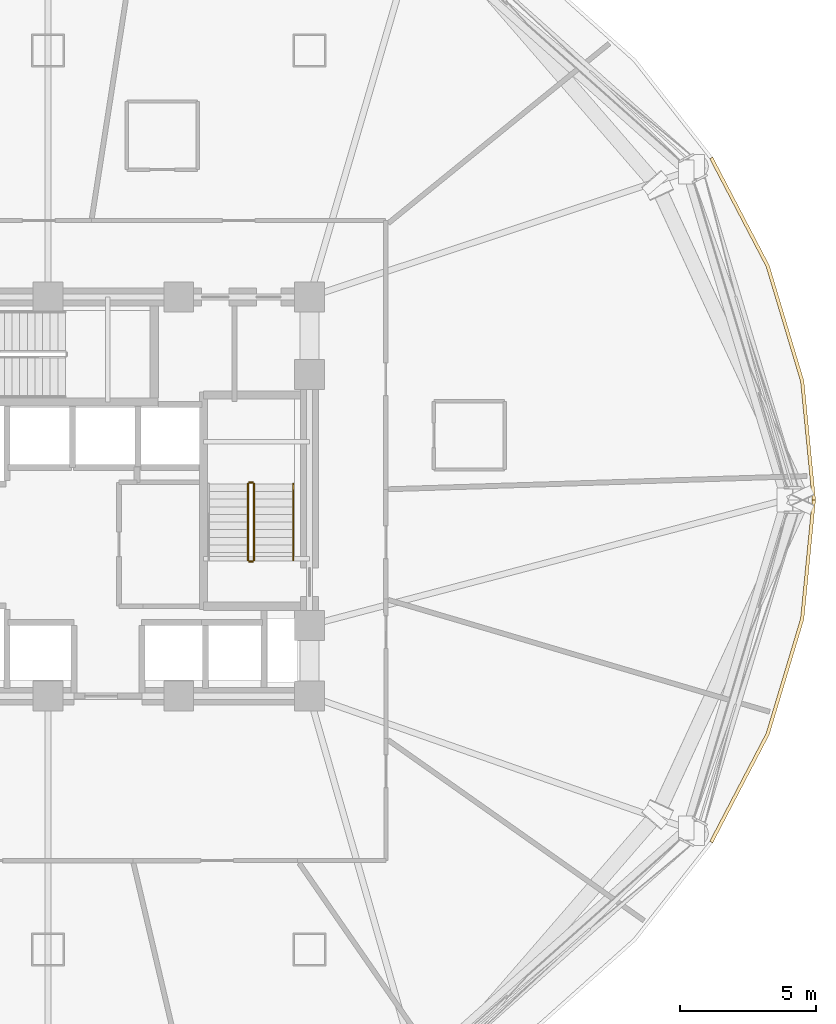
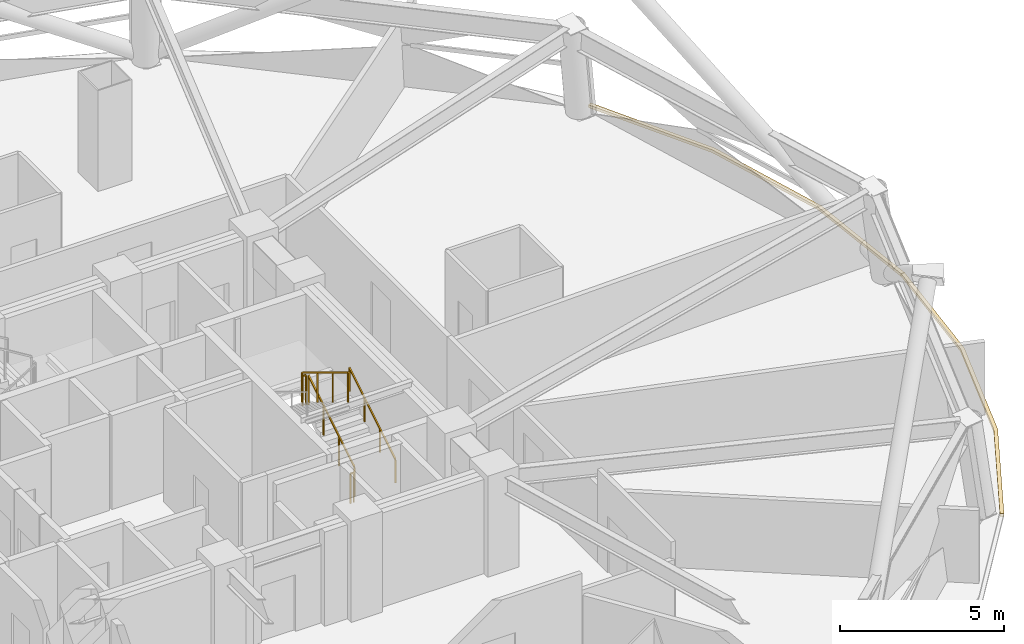
# One storey, part 12 of 13: 5 railings, 2 coverings.
"""IFC4 building model written with IfcOpenShell, lengths in metres."""

from ifc_helpers import new_model, si_unit, direction, frame, origin, origin_2d, place, context, subcontext, project, spatial, polyline, rectangle, outline, extrude, material, layer, layer_set, type_object, element, save


model = new_model("IFC4")

# Units and contexts
model_context = context("Model", 3, precision=1e-05, world=origin(), true_north=direction((0.0, 1.0)))
body_context = subcontext(model_context, "Body", "Model", "MODEL_VIEW")
ifc_project = project(units=[si_unit("LENGTHUNIT", "METRE"), si_unit("AREAUNIT", "SQUARE_METRE"), si_unit("VOLUMEUNIT", "CUBIC_METRE"), si_unit("PLANEANGLEUNIT", "RADIAN"), si_unit("MASSUNIT", "GRAM", prefix="KILO")], contexts=[model_context])

# Site, building, storey
site_placement = place(None, origin())
site = spatial("IfcSite", under=ifc_project, at=site_placement, CompositionType="ELEMENT")
building_placement = place(site_placement, origin())
building = spatial("IfcBuilding", under=site, at=building_placement, Name="Vantalir Tower", CompositionType="ELEMENT")
storey_placement = place(building_placement, frame((0.0, 0.0, 87.0)))
storey = spatial("IfcBuildingStorey", under=building, at=storey_placement, Name="L21", CompositionType="ELEMENT", Elevation=87.0)

# Coverings
ifc_material_1 = material(Name="Anodised champagne aluminium sill fascia", Category="aluminium")
ifc_layer = layer(ifc_material_1, 0.125)
ifc_layer_set = layer_set([ifc_layer], Name="Anodised champagne aluminium sill fascia")
covering_type = type_object("IfcCoveringType", Name="COV-SLAB-FASCIA-125", PredefinedType="CLADDING", material=ifc_layer_set)
covering_1_placement = place(storey_placement, frame((0.0, 0.0, -0.179931640625)))
element("IfcCovering", 1, at=covering_1_placement, inside=storey, type_object=covering_type, Name="L21 Perimeter Slab-Edge Sill Fascia 01", PredefinedType="CLADDING", context=body_context, shape_type="SweptSolid", body=[
    extrude(outline(polyline([(59.675048828125, 25.0), (59.2470703125, 29.37109375), (57.97607421875, 33.60888671875), (55.89990234375, 37.5849609375), (55.7919921875, 37.52197265625), (57.85791015625, 33.56591796875), (59.1240234375, 29.34912109375), (59.550048828125, 25.0), (59.675048828125, 25.0)])), origin(), (0.0, 0.0, 1.0), 0.10498046875),
])
covering_2_placement = place(storey_placement, frame((0.0, 0.0, -0.179931640625)))
element("IfcCovering", 2, at=covering_2_placement, inside=storey, type_object=covering_type, Name="L21 Perimeter Slab-Edge Sill Fascia 12", PredefinedType="CLADDING", context=body_context, shape_type="SweptSolid", body=[
    extrude(outline(polyline([(55.89990234375, 12.4150390625), (57.97607421875, 16.39111328125), (59.2470703125, 20.62890625), (59.675048828125, 25.0), (59.550048828125, 25.0), (59.1240234375, 20.65087890625), (57.85791015625, 16.43408203125), (55.7919921875, 12.47705078125), (55.89990234375, 12.4150390625)])), origin(), (0.0, 0.0, 1.0), 0.10498046875),
])

# Railings
ifc_material_2 = material(Name="Anodised aluminium and stainless steel guard", Category="steel")
railing_type_1 = type_object("IfcRailingType", Name="RAL-GUARD-1120", PredefinedType="GUARDRAIL", material=ifc_material_2)
railing_1_placement = place(storey_placement, frame((39.06005859375, 22.7900390625, 0.17041015625)))
element("IfcRailing", 3, at=railing_1_placement, inside=storey, type_object=railing_type_1, Name="L21 ST2 stair guard 1", PredefinedType="GUARDRAIL", context=body_context, shape_type="SweptSolid", body=[
    extrude(rectangle(XDim=0.048095703125, YDim=0.048095703125, at=origin_2d()), frame((0.0, 0.0, 1.09619140625), z_axis=(0.0, 0.854169791009, 0.51999420009), x_axis=(-1.0, 0.0, 0.0)), (0.0, 0.0, 1.0), 3.278076171875),
    extrude(rectangle(XDim=0.0419921875, YDim=0.0419921875, at=origin_2d()), origin(), (0.0, 0.0, 1.0), 1.072021484375),
    extrude(rectangle(XDim=0.0419921875, YDim=0.0419921875, at=origin_2d()), frame((0.0, 0.933349609375, 0.568115234375)), (0.0, 0.0, 1.0), 1.072021484375),
    extrude(rectangle(XDim=0.0419921875, YDim=0.0419921875, at=origin_2d()), frame((0.0, 1.86669921875, 1.136474609375)), (0.0, 0.0, 1.0), 1.072021484375),
    extrude(rectangle(XDim=0.0419921875, YDim=0.0419921875, at=origin_2d()), frame((0.0, 2.800048828125, 1.70458984375)), (0.0, 0.0, 1.0), 1.072021484375),
])
railing_2_placement = place(storey_placement, frame((39.010009765625, 25.639892578125, 1.875)))
element("IfcRailing", 4, at=railing_2_placement, inside=storey, type_object=railing_type_1, Name="L21 ST2 stair guard 2", PredefinedType="GUARDRAIL", context=body_context, shape_type="SweptSolid", body=[
    extrude(rectangle(XDim=0.048095703125, YDim=0.048095703125, at=origin_2d()), frame((0.0, 0.0, 1.09619140625), z_axis=(-1.0, 0.0, 0.0), x_axis=(0.0, -1.0, 0.0)), (0.0, 0.0, 1.0), 0.1201171875),
    extrude(rectangle(XDim=0.0419921875, YDim=0.0419921875, at=origin_2d()), origin(), (0.0, 0.0, 1.0), 1.072021484375),
    extrude(rectangle(XDim=0.0419921875, YDim=0.0419921875, at=origin_2d()), frame((-0.1201171875, 0.0, 0.0)), (0.0, 0.0, 1.0), 1.072021484375),
])
railing_3_placement = place(storey_placement, frame((38.840087890625, 25.590087890625, 2.04541015625)))
element("IfcRailing", 5, at=railing_3_placement, inside=storey, type_object=railing_type_1, Name="L21 ST2 stair guard 3", PredefinedType="GUARDRAIL", context=body_context, shape_type="SweptSolid", body=[
    extrude(rectangle(XDim=0.048095703125, YDim=0.048095703125, at=origin_2d()), frame((0.0, 0.0, 1.09619140625), z_axis=(0.0, -0.854169791009, 0.51999420009), x_axis=(1.0, 0.0, 0.0)), (0.0, 0.0, 1.0), 3.278076171875),
    extrude(rectangle(XDim=0.0419921875, YDim=0.0419921875, at=origin_2d()), origin(), (0.0, 0.0, 1.0), 1.072021484375),
    extrude(rectangle(XDim=0.0419921875, YDim=0.0419921875, at=origin_2d()), frame((0.0, -0.933349609375, 0.568115234375)), (0.0, 0.0, 1.0), 1.072021484375),
    extrude(rectangle(XDim=0.0419921875, YDim=0.0419921875, at=origin_2d()), frame((0.0, -1.86669921875, 1.136474609375)), (0.0, 0.0, 1.0), 1.072021484375),
    extrude(rectangle(XDim=0.0419921875, YDim=0.0419921875, at=origin_2d()), frame((0.0, -2.800048828125, 1.70458984375)), (0.0, 0.0, 1.0), 1.072021484375),
])
railing_4_placement = place(storey_placement, frame((39.010009765625, 22.739990234375, 0.0)))
element("IfcRailing", 6, at=railing_4_placement, inside=storey, type_object=railing_type_1, Name="L21 ST2 stair guard 4", PredefinedType="GUARDRAIL", context=body_context, shape_type="SweptSolid", body=[
    extrude(rectangle(XDim=0.048095703125, YDim=0.048095703125, at=origin_2d()), frame((0.0, 0.0, 1.09619140625), z_axis=(-1.0, 0.0, 0.0), x_axis=(0.0, -1.0, 0.0)), (0.0, 0.0, 1.0), 0.1201171875),
    extrude(rectangle(XDim=0.0419921875, YDim=0.0419921875, at=origin_2d()), origin(), (0.0, 0.0, 1.0), 1.072021484375),
    extrude(rectangle(XDim=0.0419921875, YDim=0.0419921875, at=origin_2d()), frame((-0.1201171875, 0.0, 0.0)), (0.0, 0.0, 1.0), 1.072021484375),
])
ifc_material_3 = material(Name="Brushed stainless steel tubular handrail", Category="steel")
railing_type_2 = type_object("IfcRailingType", Name="RAL-HANDRAIL-900", PredefinedType="HANDRAIL", material=ifc_material_3)
railing_5_placement = place(storey_placement, frame((40.5, 22.7900390625, 0.17041015625)))
element("IfcRailing", 7, at=railing_5_placement, inside=storey, type_object=railing_type_2, Name="L21 ST2 stair handrail 1", PredefinedType="HANDRAIL", context=body_context, shape_type="SweptSolid", body=[
    extrude(rectangle(XDim=0.048095703125, YDim=0.048095703125, at=origin_2d()), frame((0.0, 0.0, 0.8759765625), z_axis=(0.0, 0.854169791009, 0.51999420009), x_axis=(-1.0, 0.0, 0.0)), (0.0, 0.0, 1.0), 3.278076171875),
    extrude(rectangle(XDim=0.0419921875, YDim=0.0419921875, at=origin_2d()), origin(), (0.0, 0.0, 1.0), 0.851806640625),
    extrude(rectangle(XDim=0.0419921875, YDim=0.0419921875, at=origin_2d()), frame((0.0, 0.933349609375, 0.568115234375)), (0.0, 0.0, 1.0), 0.851806640625),
    extrude(rectangle(XDim=0.0419921875, YDim=0.0419921875, at=origin_2d()), frame((0.0, 1.86669921875, 1.136474609375)), (0.0, 0.0, 1.0), 0.851806640625),
    extrude(rectangle(XDim=0.0419921875, YDim=0.0419921875, at=origin_2d()), frame((0.0, 2.800048828125, 1.70458984375)), (0.0, 0.0, 1.0), 0.851806640625),
])

save(model, "model.ifc")
